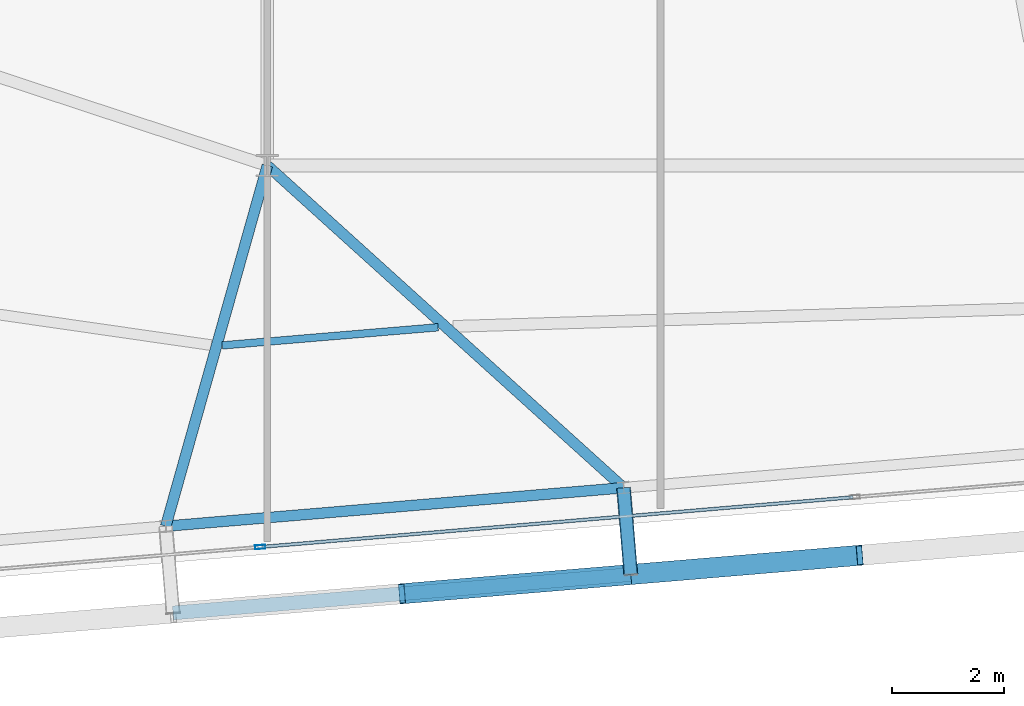
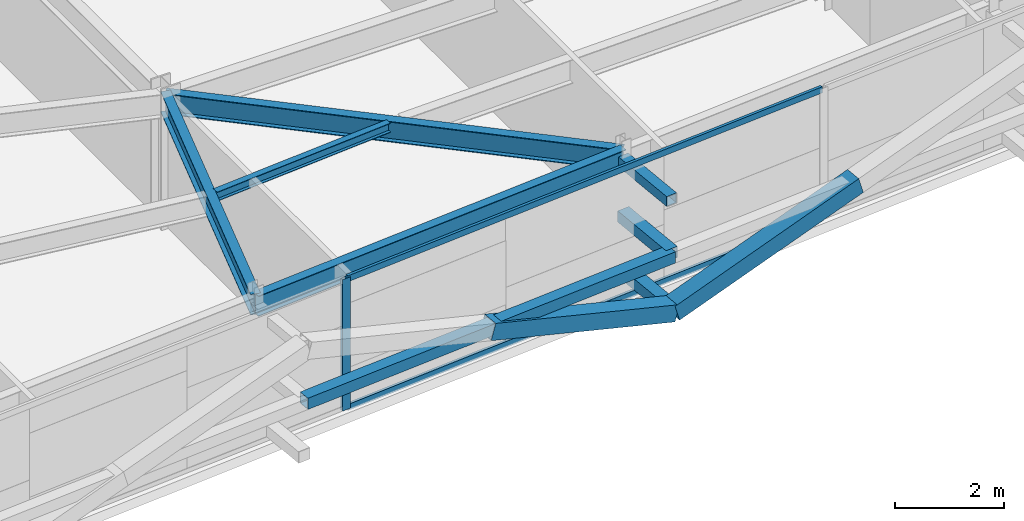
# One storey, part 9 of 39: 9 members, 4 beams, 1 element without a shape of its own.
"""IFC4 building model written with IfcOpenShell, lengths in metres."""

from ifc_helpers import new_model, si_unit, direction, frame, origin, origin_2d, place, context, subcontext, project, spatial, hollow_rectangle, i_section, extrude, source, transform, mapped, material, layer, layer_set, material_profile, profile_set, type_object, element, aggregate, save


model = new_model("IFC4")

# Units and contexts
model_context = context("Model", 3, precision=1e-05, world=origin(), true_north=direction((0.0, 1.0)))
body_context = subcontext(model_context, "Body", "Model", "MODEL_VIEW")
ifc_project = project(units=[si_unit("LENGTHUNIT", "METRE"), si_unit("AREAUNIT", "SQUARE_METRE"), si_unit("VOLUMEUNIT", "CUBIC_METRE"), si_unit("PLANEANGLEUNIT", "RADIAN"), si_unit("MASSUNIT", "GRAM", prefix="KILO")], contexts=[model_context])

# Site, building, storey
site_placement = place(None, origin())
site = spatial("IfcSite", under=ifc_project, at=site_placement, CompositionType="ELEMENT")
building_placement = place(site_placement, origin())
building = spatial("IfcBuilding", under=site, at=building_placement, Name="Taldren Reach Tower", CompositionType="ELEMENT")
storey_placement = place(building_placement, frame((0.0, 0.0, 178.85009765625)))
storey = spatial("IfcBuildingStorey", under=building, at=storey_placement, Name="L54", CompositionType="ELEMENT", Elevation=178.85009765625)

# Members
ifc_material_1 = material(Name="Steel Gr 350 (C350L0)", Category="steel")
ifc_material_profile_1 = material_profile(ifc_material_1, hollow_rectangle(XDim=0.25, YDim=0.25, WallThickness=0.010009765625, at=origin_2d()), Name="250x250x10.0SHS")
ifc_profile_set_1 = profile_set([ifc_material_profile_1], Name="Steel Gr 350 (C350L0)")
member_type_1 = type_object("IfcMemberType", Name="MB-POST250", PredefinedType="POST", material=ifc_profile_set_1)
shared_shape_1 = source(origin(), body_context, "Body", "SweptSolid", [
    extrude(hollow_rectangle(XDim=0.25, YDim=0.25, WallThickness=0.010009765625, at=origin_2d()), origin(), (0.0, 0.0, 1.0), 1.5498046875),
])
for number, where, z_axis, x_axis, name in (
    (1, (34.34228515625, 3.462890625, 0.219970703125), (0.083645141657, -0.996495604746, 0.0), (0.996495604746, 0.083645141657, 0.0), "Exoskeleton base diaphragm tie strut B4-S3 L54"),
    (2, (34.34228515625, 3.462890625, 1.434814453125), (0.083645141657, -0.996495604746, 0.0), (0.996495604746, 0.083645141657, 0.0), "Exoskeleton mid-tier diaphragm tie B4-S3 L54"),
):
    element("IfcMember", number, at=place(storey_placement, frame(where, z_axis=z_axis, x_axis=x_axis)), inside=storey, type_object=member_type_1, Name=name, PredefinedType="POST", context=body_context, shape_type="MappedRepresentation", body=[
        mapped(shared_shape_1, transform((0.0, 0.0, 0.0), scale=1.0)),
    ])

# Beams
ifc_material_2 = material(Name="Steel Gr 350 (350PLUS)", Category="steel")
ifc_material_profile_2 = material_profile(ifc_material_2, i_section(OverallWidth=0.18994140625, OverallDepth=0.4541015625, WebThickness=0.008544921875, FlangeThickness=0.0126953125, at=origin_2d()), Name="460UB67.1")
ifc_profile_set_2 = profile_set([ifc_material_profile_2], Name="Steel Gr 350 (350PLUS)")
beam_type_1 = type_object("IfcBeamType", Name="SP-UB460B", PredefinedType="SPANDREL", material=ifc_profile_set_2)
shared_shape_2 = source(origin(), body_context, "Body", "SweptSolid", [
    extrude(i_section(OverallWidth=0.18994140625, OverallDepth=0.4541015625, WebThickness=0.008544921875, FlangeThickness=0.0126953125, at=origin_2d()), origin(), (0.0, 0.0, 1.0), 8.179931640625),
])
beam_1_placement = place(storey_placement, frame((26.19091796875, 2.778564453125, 2.702880859375), z_axis=(0.996494523218, 0.083658025296, 0.0), x_axis=(-0.083658025296, 0.996494523218, 0.0)))
element("IfcBeam", 3, at=beam_1_placement, inside=storey, type_object=beam_type_1, Name="Perimeter spandrel B4 S2-S3 L54", PredefinedType="SPANDREL", context=body_context, shape_type="MappedRepresentation", body=[
    mapped(shared_shape_2, transform((0.0, 0.0, 0.0), scale=1.0)),
])
ifc_material_profile_3 = material_profile(ifc_material_2, i_section(OverallWidth=0.19091796875, OverallDepth=0.4599609375, WebThickness=0.010009765625, FlangeThickness=0.01611328125, at=origin_2d()), Name="460UB82.1")
ifc_profile_set_3 = profile_set([ifc_material_profile_3], Name="Steel Gr 350 (350PLUS)")
beam_type_2 = type_object("IfcBeamType", Name="BM-UB460A", PredefinedType="BEAM", material=ifc_profile_set_3)
shared_shape_3 = source(origin(), body_context, "Body", "SweptSolid", [
    extrude(i_section(OverallWidth=0.19091796875, OverallDepth=0.4599609375, WebThickness=0.010009765625, FlangeThickness=0.01611328125, at=origin_2d()), origin(), (0.0, 0.0, 1.0), 6.67138671875),
])
beam_2_placement = place(storey_placement, frame((28.0, 9.199951171875, 2.699951171875), z_axis=(-0.271171579948, -0.962531025073, 0.0), x_axis=(0.962531025073, -0.271171579948, 0.0)))
element("IfcBeam", 4, at=beam_2_placement, inside=storey, type_object=beam_type_2, Name="Primary floor girder B4-S2 L54", PredefinedType="BEAM", context=body_context, shape_type="MappedRepresentation", body=[
    mapped(shared_shape_3, transform((0.0, 0.0, 0.0), scale=1.0)),
])
shared_shape_4 = source(origin(), body_context, "Body", "SweptSolid", [
    extrude(i_section(OverallWidth=0.19091796875, OverallDepth=0.4599609375, WebThickness=0.010009765625, FlangeThickness=0.01611328125, at=origin_2d()), origin(), (0.0, 0.0, 1.0), 8.552001953125),
])
beam_3_placement = place(storey_placement, frame((28.0, 9.199951171875, 2.699951171875), z_axis=(0.741605435155, -0.670836327689, 0.0), x_axis=(0.670836327689, 0.741605435155, 0.0)))
element("IfcBeam", 5, at=beam_3_placement, inside=storey, type_object=beam_type_2, Name="Primary floor girder B4-S3 L54", PredefinedType="BEAM", context=body_context, shape_type="MappedRepresentation", body=[
    mapped(shared_shape_4, transform((0.0, 0.0, 0.0), scale=1.0)),
])
ifc_material_3 = material(Name="Steel Gr 300 (300PLUS, 300 MPa)", Category="steel")
ifc_material_profile_4 = material_profile(ifc_material_3, i_section(OverallWidth=0.134033203125, OverallDepth=0.20703125, WebThickness=0.00634765625, FlangeThickness=0.009521484375, at=origin_2d()), Name="200UB29.8")
ifc_profile_set_4 = profile_set([ifc_material_profile_4], Name="Steel Gr 300 (300PLUS, 300 MPa)")
beam_type_3 = type_object("IfcBeamType", Name="JS-UB200", PredefinedType="JOIST", material=ifc_profile_set_4)
shared_shape_5 = source(origin(), body_context, "Body", "SweptSolid", [
    extrude(i_section(OverallWidth=0.134033203125, OverallDepth=0.20703125, WebThickness=0.00634765625, FlangeThickness=0.009521484375, at=origin_2d()), origin(), (0.0, 0.0, 1.0), 3.857177734375),
])
beam_4_placement = place(storey_placement, frame((27.197021484375, 5.997802734375, 2.826416015625), z_axis=(0.996493179166, 0.083674033464, 0.0), x_axis=(-0.083674033464, 0.996493179166, 0.0)))
element("IfcBeam", 6, at=beam_4_placement, inside=storey, type_object=beam_type_3, Name="Secondary floor joist B4 J2 L54", PredefinedType="JOIST", context=body_context, shape_type="MappedRepresentation", body=[
    mapped(shared_shape_5, transform((0.0, 0.0, 0.0), scale=1.0)),
])

# Members
ifc_material_4 = material(Name="Steel Gr 450 (C450L0)", Category="steel")
ifc_material_profile_5 = material_profile(ifc_material_4, hollow_rectangle(XDim=0.219970703125, YDim=0.219970703125, WallThickness=0.00830078125, at=origin_2d()), Name="220x220x8.2SHS")
ifc_profile_set_5 = profile_set([ifc_material_profile_5], Name="Steel Gr 450 (C450L0)")
member_type_2 = type_object("IfcMemberType", Name="MB-TIE219", PredefinedType="STRUT", material=ifc_profile_set_5)
shared_shape_6 = source(origin(), body_context, "Body", "SweptSolid", [
    extrude(hollow_rectangle(XDim=0.219970703125, YDim=0.219970703125, WallThickness=0.00830078125, at=origin_2d()), origin(), (0.0, 0.0, 1.0), 1.5498046875),
])
member_1_placement = place(storey_placement, frame((34.34228515625, 3.462890625, 2.64990234375), z_axis=(0.083645141657, -0.996495604746, 0.0), x_axis=(0.996495604746, 0.083645141657, 0.0)))
element("IfcMember", 7, at=member_1_placement, inside=storey, type_object=member_type_2, Name="Exoskeleton diaphragm tie strut B4-S3 L54", PredefinedType="STRUT", context=body_context, shape_type="MappedRepresentation", body=[
    mapped(shared_shape_6, transform((0.0, 0.0, 0.0), scale=1.0)),
])
shared_shape_7 = source(origin(), body_context, "Body", "SweptSolid", [
    extrude(hollow_rectangle(XDim=0.25, YDim=0.25, WallThickness=0.010009765625, at=origin_2d()), origin(), (0.0, 0.0, 1.0), 8.18017578125),
])
member_2_placement = place(storey_placement, frame((26.320556640625, 1.23388671875, 1.434814453125), z_axis=(0.996492034688, 0.083687662192, 0.0), x_axis=(-0.083687662192, 0.996492034688, 0.0)))
element("IfcMember", 8, at=member_2_placement, inside=storey, type_object=member_type_1, Name="Exoskeleton mid-height ring chord B4-S2 L54", PredefinedType="POST", context=body_context, shape_type="MappedRepresentation", body=[
    mapped(shared_shape_7, transform((0.0, 0.0, 0.0), scale=1.0)),
])
ifc_material_profile_6 = material_profile(ifc_material_4, hollow_rectangle(XDim=0.360107421875, YDim=0.360107421875, WallThickness=0.0126953125, at=origin_2d()), Name="360x360x12.7SHS")
ifc_profile_set_6 = profile_set([ifc_material_profile_6], Name="Steel Gr 450 (C450L0)")
member_type_3 = type_object("IfcMemberType", Name="MB-EXO356", PredefinedType="BRACE", material=ifc_profile_set_6)
shared_shape_8 = source(origin(), body_context, "Body", "SweptSolid", [
    extrude(hollow_rectangle(XDim=0.360107421875, YDim=0.360107421875, WallThickness=0.0126953125, at=origin_2d()), origin(), (0.0, 0.0, 1.0), 4.2666015625),
])
for number, where, z_axis, x_axis, name in (
    (9, (34.471923828125, 1.91845703125, 0.219970703125), (-0.955244723646, -0.080223619417, 0.284730906006), (0.083687662192, -0.996492034688, 0.0), "Exoskeleton Diagrid Brace B4-S2 L54"),
    (10, (34.471923828125, 1.91845703125, 0.219970703125), (0.955244723646, 0.080223619417, 0.284730906006), (-0.083687662192, 0.996492034688, 0.0), "Exoskeleton Diagrid Brace B4-S3 L54"),
):
    element("IfcMember", number, at=place(storey_placement, frame(where, z_axis=z_axis, x_axis=x_axis)), inside=storey, type_object=member_type_3, Name=name, PredefinedType="BRACE", context=body_context, shape_type="MappedRepresentation", body=[
        mapped(shared_shape_8, transform((0.0, 0.0, 0.0), scale=1.0)),
    ])

# Curtain wall, members
ifc_material_5 = material(Name="Aluminium and Low-E Glass Unitised System", Category="aluminium")
ifc_layer = layer(ifc_material_5, 0.159912109375)
ifc_layer_set = layer_set([ifc_layer], Name="Aluminium and Low-E Glass Unitised System")
curtain_wall_type = type_object("IfcCurtainWallType", Name="CW-SYS-5", PredefinedType="NOTDEFINED", material=ifc_layer_set)
curtain_wall_placement = place(storey_placement, origin())
curtain_wall = element("IfcCurtainWall", 11, at=curtain_wall_placement, inside=storey, type_object=curtain_wall_type, Name="Unitised curtain wall CW-L54-S", PredefinedType="NOTDEFINED")
ifc_material_6 = material(Name="Anodised Aluminium 6063-T6", Category="aluminium")
ifc_material_profile_7 = material_profile(ifc_material_6, hollow_rectangle(XDim=0.070068359375, YDim=0.179931640625, WallThickness=0.00390625, at=origin_2d()), Name="ALU-180x70x4RHS")
ifc_profile_set_7 = profile_set([ifc_material_profile_7], Name="Anodised Aluminium 6063-T6")
member_type_4 = type_object("IfcMemberType", Name="CW-MUL-180", PredefinedType="MULLION", material=ifc_profile_set_7)
shared_shape_9 = source(origin(), body_context, "Body", "SweptSolid", [
    extrude(hollow_rectangle(XDim=0.070068359375, YDim=0.179931640625, WallThickness=0.00390625, at=origin_2d()), origin(), (0.0, 0.0, 1.0), 2.929931640625),
])
member_3_placement = place(storey_placement, frame((27.872802734375, 2.407958984375, 0.0), z_axis=(0.0, 0.0, 1.0), x_axis=(-0.083677894865, 0.996492854922, 0.0)))
member_3 = element("IfcMember", 12, at=member_3_placement, type_object=member_type_4, Name="CW-5 mullion 2", PredefinedType="MULLION", context=body_context, shape_type="MappedRepresentation", body=[
    mapped(shared_shape_9, transform((0.0, 0.0, 0.0), scale=1.0)),
])
ifc_material_profile_8 = material_profile(ifc_material_6, hollow_rectangle(XDim=0.06005859375, YDim=0.135009765625, WallThickness=0.00341796875, at=origin_2d()), Name="ALU-135x60x3.5RHS")
ifc_profile_set_8 = profile_set([ifc_material_profile_8], Name="Anodised Aluminium 6063-T6")
member_type_5 = type_object("IfcMemberType", Name="CW-TRN-150", PredefinedType="USERDEFINED", material=ifc_profile_set_8)
shared_shape_10 = source(origin(), body_context, "Body", "SweptSolid", [
    extrude(hollow_rectangle(XDim=0.06005859375, YDim=0.135009765625, WallThickness=0.00341796875, at=origin_2d()), origin(), (0.0, 0.0, 1.0), 10.55517578125),
])
member_4_placement = place(storey_placement, frame((27.90771484375, 2.410888671875, 0.02978515625), z_axis=(0.996492274094, 0.083684811468, 0.0), x_axis=(-0.083684811468, 0.996492274094, 0.0)))
member_4 = element("IfcMember", 13, at=member_4_placement, type_object=member_type_5, Name="CW-5 transom 2.1", ObjectType="TRANSOM", PredefinedType="USERDEFINED", context=body_context, shape_type="MappedRepresentation", body=[
    mapped(shared_shape_10, transform((0.0, 0.0, 0.0), scale=1.0)),
])
member_5_placement = place(storey_placement, frame((27.90771484375, 2.410888671875, 2.89990234375), z_axis=(0.996492274094, 0.083684811468, 0.0), x_axis=(-0.083684811468, 0.996492274094, 0.0)))
member_5 = element("IfcMember", 14, at=member_5_placement, type_object=member_type_5, Name="CW-5 transom 2.2", ObjectType="TRANSOM", PredefinedType="USERDEFINED", context=body_context, shape_type="MappedRepresentation", body=[
    mapped(shared_shape_10, transform((0.0, 0.0, 0.0), scale=1.0)),
])
aggregate(curtain_wall, [member_3, member_4, member_5])

save(model, "model.ifc")
